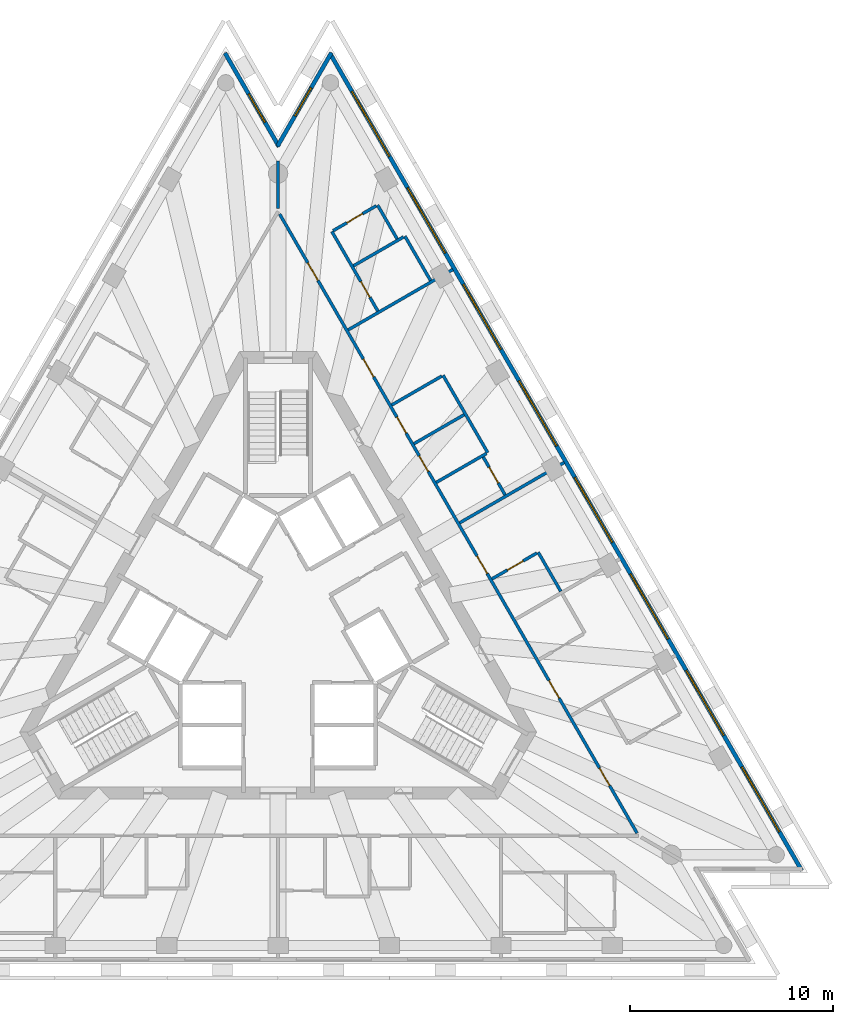
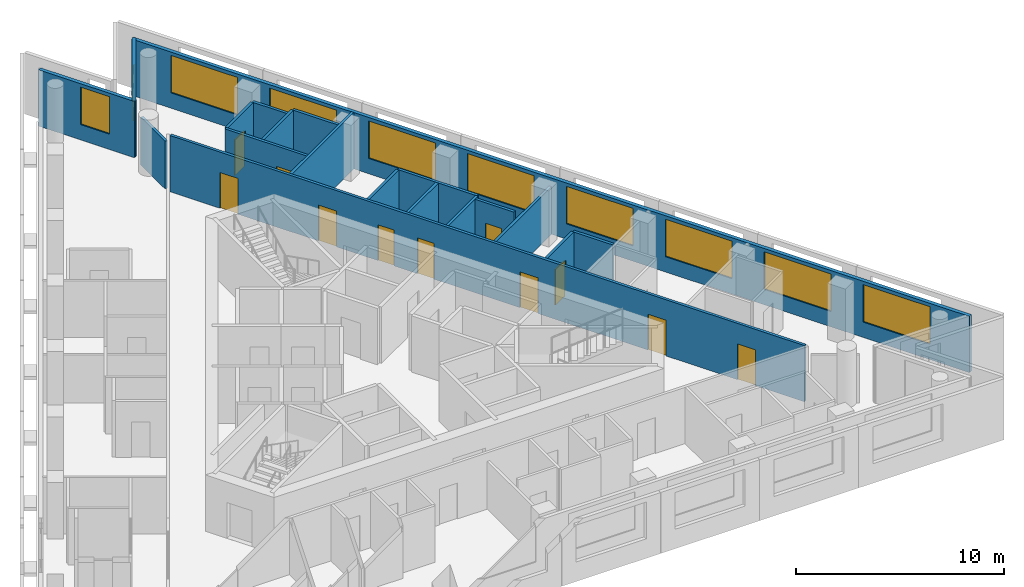
# One storey, part 7 of 9: 19 walls, 11 doors, 10 windows, 21 openings.
"""IFC4 building model written with IfcOpenShell, lengths in metres."""

from ifc_helpers import new_model, si_unit, direction, frame, frame_2d, origin, place, context, subcontext, project, spatial, rectangle, extrude, material, layer, layer_set, layer_usage, type_object, element, fill, save


model = new_model("IFC4")

# Units and contexts
model_context = context("Model", 3, precision=1e-05, world=origin(), true_north=direction((0.0, 1.0)))
body_context = subcontext(model_context, "Body", "Model", "MODEL_VIEW")
ifc_project = project(units=[si_unit("LENGTHUNIT", "METRE"), si_unit("AREAUNIT", "SQUARE_METRE"), si_unit("VOLUMEUNIT", "CUBIC_METRE"), si_unit("PLANEANGLEUNIT", "RADIAN"), si_unit("MASSUNIT", "GRAM", prefix="KILO")], contexts=[model_context])

# Site, building, storey
site_placement = place(None, origin())
site = spatial("IfcSite", under=ifc_project, at=site_placement, CompositionType="ELEMENT")
building_placement = place(site_placement, origin())
building = spatial("IfcBuilding", under=site, at=building_placement, Name="Triada Interchange Tower", CompositionType="ELEMENT")
storey_placement = place(building_placement, frame((0.0, 0.0, 282.699951171875)))
storey = spatial("IfcBuildingStorey", under=building, at=storey_placement, Name="L66", CompositionType="ELEMENT", Elevation=282.699951171875)

# Wall, openings, windows
ifc_material_1 = material(Name="Cement board")
ifc_layer_1 = layer(ifc_material_1, 0.02001953125, Name="Cement board cladding")
ifc_material_2 = material(Name="Sheathing board")
ifc_layer_2 = layer(ifc_material_2, 0.014892578125, Name="Sheathing board")
ifc_material_3 = material(Name="Mineral wool")
ifc_layer_3 = layer(ifc_material_3, 0.14990234375, Name="Mineral wool between steel studs")
ifc_material_4 = material(Name="Gypsum board")
ifc_layer_4 = layer(ifc_material_4, 0.014892578125, Name="Plasterboard lining")
ifc_layer_set_1 = layer_set([ifc_layer_1, ifc_layer_2, ifc_layer_3, ifc_layer_4], Name="External wall 200")
ifc_layer_usage = layer_usage(ifc_layer_set_1, "AXIS2", "POSITIVE", -0.10009765625)
wall_type_1 = type_object("IfcWallType", Name="External wall 200", PredefinedType="ELEMENTEDWALL", material=ifc_layer_set_1)
wall_1_placement = place(storey_placement, frame((25.791015625, -11.9619140625, 0.0), z_axis=(0.0, 0.0, 1.0), x_axis=(-0.500006870765, 0.86602143691, 0.0)))
wall_1 = element("IfcWall", 1, at=wall_1_placement, inside=storey, type_object=wall_type_1, material=ifc_layer_usage, Name="External wall L66 NE", PredefinedType="ELEMENTEDWALL", context=body_context, shape_type="SweptSolid", body=[
    extrude(rectangle(XDim=46.489501953125, YDim=0.199951171875, at=frame_2d((23.24462890625, 0.0))), origin(), (0.0, 0.0, 1.0), 3.300048828125),
])
opening_1_placement = place(wall_1_placement, frame((2.197021484375, 0.0, 0.89990234375)))
opening_1 = element("IfcOpeningElement", 2, at=opening_1_placement, cuts=wall_1, Name="Opening WD21", PredefinedType="OPENING", context=body_context, shape_type="SweptSolid", body=[
    extrude(rectangle(XDim=3.699951171875, YDim=2.199951171875, at=frame_2d((1.85009765625, 1.10009765625))), frame((0.0, 0.10986328125, 0.0), z_axis=(0.0, -1.0, 0.0), x_axis=(1.0, 0.0, 0.0)), (0.0, 0.0, 1.0), 0.219970703125),
])
opening_2_placement = place(wall_1_placement, frame((7.68505859375, 0.0, 0.89990234375)))
opening_2 = element("IfcOpeningElement", 3, at=opening_2_placement, cuts=wall_1, Name="Opening WD22", PredefinedType="OPENING", context=body_context, shape_type="SweptSolid", body=[
    extrude(rectangle(XDim=3.699951171875, YDim=2.199951171875, at=frame_2d((1.85009765625, 1.10009765625))), frame((0.0, 0.10986328125, 0.0), z_axis=(0.0, -1.0, 0.0), x_axis=(1.0, 0.0, 0.0)), (0.0, 0.0, 1.0), 0.219970703125),
])
opening_3_placement = place(wall_1_placement, frame((13.173095703125, 0.0, 0.89990234375)))
opening_3 = element("IfcOpeningElement", 4, at=opening_3_placement, cuts=wall_1, Name="Opening WD23", PredefinedType="OPENING", context=body_context, shape_type="SweptSolid", body=[
    extrude(rectangle(XDim=3.699951171875, YDim=2.199951171875, at=frame_2d((1.85009765625, 1.10009765625))), frame((0.0, 0.10986328125, 0.0), z_axis=(0.0, -1.0, 0.0), x_axis=(1.0, 0.0, 0.0)), (0.0, 0.0, 1.0), 0.219970703125),
])
opening_4_placement = place(wall_1_placement, frame((18.660888671875, 0.0, 0.89990234375)))
opening_4 = element("IfcOpeningElement", 5, at=opening_4_placement, cuts=wall_1, Name="Opening WD24", PredefinedType="OPENING", context=body_context, shape_type="SweptSolid", body=[
    extrude(rectangle(XDim=3.699951171875, YDim=2.199951171875, at=frame_2d((1.85009765625, 1.10009765625))), frame((0.0, 0.10986328125, 0.0), z_axis=(0.0, -1.0, 0.0), x_axis=(1.0, 0.0, 0.0)), (0.0, 0.0, 1.0), 0.219970703125),
])
opening_5_placement = place(wall_1_placement, frame((24.14892578125, 0.0, 0.89990234375)))
opening_5 = element("IfcOpeningElement", 6, at=opening_5_placement, cuts=wall_1, Name="Opening WD25", PredefinedType="OPENING", context=body_context, shape_type="SweptSolid", body=[
    extrude(rectangle(XDim=3.699951171875, YDim=2.199951171875, at=frame_2d((1.85009765625, 1.10009765625))), frame((0.0, 0.10986328125, 0.0), z_axis=(0.0, -1.0, 0.0), x_axis=(1.0, 0.0, 0.0)), (0.0, 0.0, 1.0), 0.219970703125),
])
opening_6_placement = place(wall_1_placement, frame((29.636962890625, 0.0, 0.89990234375)))
opening_6 = element("IfcOpeningElement", 7, at=opening_6_placement, cuts=wall_1, Name="Opening WD26", PredefinedType="OPENING", context=body_context, shape_type="SweptSolid", body=[
    extrude(rectangle(XDim=3.699951171875, YDim=2.199951171875, at=frame_2d((1.85009765625, 1.10009765625))), frame((0.0, 0.10986328125, 0.0), z_axis=(0.0, -1.0, 0.0), x_axis=(1.0, 0.0, 0.0)), (0.0, 0.0, 1.0), 0.219970703125),
])
opening_7_placement = place(wall_1_placement, frame((35.125, 0.0, 0.89990234375)))
opening_7 = element("IfcOpeningElement", 8, at=opening_7_placement, cuts=wall_1, Name="Opening WD27", PredefinedType="OPENING", context=body_context, shape_type="SweptSolid", body=[
    extrude(rectangle(XDim=3.699951171875, YDim=2.199951171875, at=frame_2d((1.85009765625, 1.10009765625))), frame((0.0, 0.10986328125, 0.0), z_axis=(0.0, -1.0, 0.0), x_axis=(1.0, 0.0, 0.0)), (0.0, 0.0, 1.0), 0.219970703125),
])
opening_8_placement = place(wall_1_placement, frame((40.613037109375, 0.0, 0.89990234375)))
opening_8 = element("IfcOpeningElement", 9, at=opening_8_placement, cuts=wall_1, Name="Opening WD28", PredefinedType="OPENING", context=body_context, shape_type="SweptSolid", body=[
    extrude(rectangle(XDim=3.699951171875, YDim=2.199951171875, at=frame_2d((1.85009765625, 1.10009765625))), frame((0.0, 0.10986328125, 0.0), z_axis=(0.0, -1.0, 0.0), x_axis=(1.0, 0.0, 0.0)), (0.0, 0.0, 1.0), 0.219970703125),
])
ifc_material_5 = material(Name="Double glazed aluminium window", Category="aluminium")
window_type_1 = type_object("IfcWindowType", Name="Ribbon window D face", PartitioningType="SINGLE_PANEL", PredefinedType="WINDOW", material=ifc_material_5)
window_1_placement = place(opening_1_placement, origin())
window_1 = element("IfcWindow", 10, at=window_1_placement, inside=storey, type_object=window_type_1, Name="Window L66 NE 1", OverallHeight=2.199951171875, OverallWidth=3.699951171875, PartitioningType="SINGLE_PANEL", PredefinedType="WINDOW", context=body_context, shape_type="SweptSolid", body=[
    extrude(rectangle(XDim=3.699951171875, YDim=2.199951171875, at=frame_2d((1.85009765625, 1.10009765625))), frame((0.0, 0.030029296875, 0.0), z_axis=(0.0, -1.0, 0.0), x_axis=(1.0, 0.0, 0.0)), (0.0, 0.0, 1.0), 0.06005859375),
])
fill(opening_1, window_1)
window_2_placement = place(opening_2_placement, origin())
window_2 = element("IfcWindow", 11, at=window_2_placement, inside=storey, type_object=window_type_1, Name="Window L66 NE 2", OverallHeight=2.199951171875, OverallWidth=3.699951171875, PartitioningType="SINGLE_PANEL", PredefinedType="WINDOW", context=body_context, shape_type="SweptSolid", body=[
    extrude(rectangle(XDim=3.699951171875, YDim=2.199951171875, at=frame_2d((1.85009765625, 1.10009765625))), frame((0.0, 0.030029296875, 0.0), z_axis=(0.0, -1.0, 0.0), x_axis=(1.0, 0.0, 0.0)), (0.0, 0.0, 1.0), 0.06005859375),
])
fill(opening_2, window_2)
window_3_placement = place(opening_3_placement, origin())
window_3 = element("IfcWindow", 12, at=window_3_placement, inside=storey, type_object=window_type_1, Name="Window L66 NE 3", OverallHeight=2.199951171875, OverallWidth=3.699951171875, PartitioningType="SINGLE_PANEL", PredefinedType="WINDOW", context=body_context, shape_type="SweptSolid", body=[
    extrude(rectangle(XDim=3.699951171875, YDim=2.199951171875, at=frame_2d((1.85009765625, 1.10009765625))), frame((0.0, 0.030029296875, 0.0), z_axis=(0.0, -1.0, 0.0), x_axis=(1.0, 0.0, 0.0)), (0.0, 0.0, 1.0), 0.06005859375),
])
fill(opening_3, window_3)
window_4_placement = place(opening_4_placement, origin())
window_4 = element("IfcWindow", 13, at=window_4_placement, inside=storey, type_object=window_type_1, Name="Window L66 NE 4", OverallHeight=2.199951171875, OverallWidth=3.699951171875, PartitioningType="SINGLE_PANEL", PredefinedType="WINDOW", context=body_context, shape_type="SweptSolid", body=[
    extrude(rectangle(XDim=3.699951171875, YDim=2.199951171875, at=frame_2d((1.85009765625, 1.10009765625))), frame((0.0, 0.030029296875, 0.0), z_axis=(0.0, -1.0, 0.0), x_axis=(1.0, 0.0, 0.0)), (0.0, 0.0, 1.0), 0.06005859375),
])
fill(opening_4, window_4)
window_5_placement = place(opening_5_placement, origin())
window_5 = element("IfcWindow", 14, at=window_5_placement, inside=storey, type_object=window_type_1, Name="Window L66 NE 5", OverallHeight=2.199951171875, OverallWidth=3.699951171875, PartitioningType="SINGLE_PANEL", PredefinedType="WINDOW", context=body_context, shape_type="SweptSolid", body=[
    extrude(rectangle(XDim=3.699951171875, YDim=2.199951171875, at=frame_2d((1.85009765625, 1.10009765625))), frame((0.0, 0.030029296875, 0.0), z_axis=(0.0, -1.0, 0.0), x_axis=(1.0, 0.0, 0.0)), (0.0, 0.0, 1.0), 0.06005859375),
])
fill(opening_5, window_5)
window_6_placement = place(opening_6_placement, origin())
window_6 = element("IfcWindow", 15, at=window_6_placement, inside=storey, type_object=window_type_1, Name="Window L66 NE 6", OverallHeight=2.199951171875, OverallWidth=3.699951171875, PartitioningType="SINGLE_PANEL", PredefinedType="WINDOW", context=body_context, shape_type="SweptSolid", body=[
    extrude(rectangle(XDim=3.699951171875, YDim=2.199951171875, at=frame_2d((1.85009765625, 1.10009765625))), frame((0.0, 0.030029296875, 0.0), z_axis=(0.0, -1.0, 0.0), x_axis=(1.0, 0.0, 0.0)), (0.0, 0.0, 1.0), 0.06005859375),
])
fill(opening_6, window_6)
window_7_placement = place(opening_7_placement, origin())
window_7 = element("IfcWindow", 16, at=window_7_placement, inside=storey, type_object=window_type_1, Name="Window L66 NE 7", OverallHeight=2.199951171875, OverallWidth=3.699951171875, PartitioningType="SINGLE_PANEL", PredefinedType="WINDOW", context=body_context, shape_type="SweptSolid", body=[
    extrude(rectangle(XDim=3.699951171875, YDim=2.199951171875, at=frame_2d((1.85009765625, 1.10009765625))), frame((0.0, 0.030029296875, 0.0), z_axis=(0.0, -1.0, 0.0), x_axis=(1.0, 0.0, 0.0)), (0.0, 0.0, 1.0), 0.06005859375),
])
fill(opening_7, window_7)
window_8_placement = place(opening_8_placement, origin())
window_8 = element("IfcWindow", 17, at=window_8_placement, inside=storey, type_object=window_type_1, Name="Window L66 NE 8", OverallHeight=2.199951171875, OverallWidth=3.699951171875, PartitioningType="SINGLE_PANEL", PredefinedType="WINDOW", context=body_context, shape_type="SweptSolid", body=[
    extrude(rectangle(XDim=3.699951171875, YDim=2.199951171875, at=frame_2d((1.85009765625, 1.10009765625))), frame((0.0, 0.030029296875, 0.0), z_axis=(0.0, -1.0, 0.0), x_axis=(1.0, 0.0, 0.0)), (0.0, 0.0, 1.0), 0.06005859375),
])
fill(opening_8, window_8)

# Wall, opening, window
wall_2_placement = place(storey_placement, frame((2.6259765625, 28.31591796875, 0.0), z_axis=(0.0, 0.0, 1.0), x_axis=(-0.500071953966, -0.865983857157, 0.0)))
wall_2 = element("IfcWall", 18, at=wall_2_placement, inside=storey, type_object=wall_type_1, material=ifc_layer_usage, Name="External wall L66 N-1", PredefinedType="ELEMENTEDWALL", context=body_context, shape_type="SweptSolid", body=[
    extrude(rectangle(XDim=5.321044921875, YDim=0.199951171875, at=frame_2d((2.66064453125, 0.0))), origin(), (0.0, 0.0, 1.0), 3.300048828125),
])
opening_9_placement = place(wall_2_placement, frame((1.989990234375, 0.0, 0.89990234375)))
opening_9 = element("IfcOpeningElement", 19, at=opening_9_placement, cuts=wall_2, Name="Opening WD29", PredefinedType="OPENING", context=body_context, shape_type="SweptSolid", body=[
    extrude(rectangle(XDim=1.60009765625, YDim=2.199951171875, at=frame_2d((0.800048828125, 1.10009765625))), frame((0.0, 0.10986328125, 0.0), z_axis=(0.0, -1.0, 0.0), x_axis=(1.0, 0.0, 0.0)), (0.0, 0.0, 1.0), 0.219970703125),
])
window_type_2 = type_object("IfcWindowType", Name="Ribbon window D pocket", PartitioningType="SINGLE_PANEL", PredefinedType="WINDOW", material=ifc_material_5)
window_9_placement = place(opening_9_placement, origin())
window_9 = element("IfcWindow", 20, at=window_9_placement, inside=storey, type_object=window_type_2, Name="Window L66 N-1 1", OverallHeight=2.199951171875, OverallWidth=1.60009765625, PartitioningType="SINGLE_PANEL", PredefinedType="WINDOW", context=body_context, shape_type="SweptSolid", body=[
    extrude(rectangle(XDim=1.60009765625, YDim=2.199951171875, at=frame_2d((0.800048828125, 1.10009765625))), frame((0.0, 0.030029296875, 0.0), z_axis=(0.0, -1.0, 0.0), x_axis=(1.0, 0.0, 0.0)), (0.0, 0.0, 1.0), 0.06005859375),
])
fill(opening_9, window_9)

wall_3_placement = place(storey_placement, frame((0.044921875, 23.69091796875, 0.0), z_axis=(0.0, 0.0, 1.0), x_axis=(-0.500052085069, 0.865995330367, 0.0)))
wall_3 = element("IfcWall", 21, at=wall_3_placement, inside=storey, type_object=wall_type_1, material=ifc_layer_usage, Name="External wall L66 N-2", PredefinedType="ELEMENTEDWALL", context=body_context, shape_type="SweptSolid", body=[
    extrude(rectangle(XDim=5.3212890625, YDim=0.199951171875, at=frame_2d((2.66064453125, 0.0))), origin(), (0.0, 0.0, 1.0), 3.300048828125),
])
opening_10_placement = place(wall_3_placement, frame((1.389892578125, 0.0, 0.89990234375)))
opening_10 = element("IfcOpeningElement", 22, at=opening_10_placement, cuts=wall_3, Name="Opening WD30", PredefinedType="OPENING", context=body_context, shape_type="SweptSolid", body=[
    extrude(rectangle(XDim=1.60009765625, YDim=2.199951171875, at=frame_2d((0.800048828125, 1.10009765625))), frame((0.0, 0.10986328125, 0.0), z_axis=(0.0, -1.0, 0.0), x_axis=(1.0, 0.0, 0.0)), (0.0, 0.0, 1.0), 0.219970703125),
])
window_10_placement = place(opening_10_placement, origin())
window_10 = element("IfcWindow", 23, at=window_10_placement, inside=storey, type_object=window_type_2, Name="Window L66 N-2 1", OverallHeight=2.199951171875, OverallWidth=1.60009765625, PartitioningType="SINGLE_PANEL", PredefinedType="WINDOW", context=body_context, shape_type="SweptSolid", body=[
    extrude(rectangle(XDim=1.60009765625, YDim=2.199951171875, at=frame_2d((0.800048828125, 1.10009765625))), frame((0.0, 0.030029296875, 0.0), z_axis=(0.0, -1.0, 0.0), x_axis=(1.0, 0.0, 0.0)), (0.0, 0.0, 1.0), 0.06005859375),
])
fill(opening_10, window_10)

# Walls
ifc_material_6 = material(Name="Gypsum board partition")
ifc_layer_5 = layer(ifc_material_6, 0.14990234375)
ifc_layer_set_2 = layer_set([ifc_layer_5], Name="PARTITION 150 EI 180")
wall_type_2 = type_object("IfcWallType", Name="PARTITION 150 EI 180", PredefinedType="PARTITIONING", material=ifc_layer_set_2)
wall_4_placement = place(storey_placement, frame((8.94189453125, 5.162109375, 0.0), z_axis=(0.0, 0.0, 1.0), x_axis=(0.866004483474, 0.50003623329, 0.0)))
element("IfcWall", 24, at=wall_4_placement, inside=storey, type_object=wall_type_2, Name="Wall L65 2", PredefinedType="PARTITIONING", context=body_context, shape_type="SweptSolid", body=[
    extrude(rectangle(XDim=5.94921875, YDim=0.14990234375, at=frame_2d((2.974609375, 0.0))), origin(), (0.0, 0.0, 1.0), 2.800048828125),
])
wall_5_placement = place(storey_placement, frame((0.0, 20.64990234375, 0.0), z_axis=(0.0, 0.0, 1.0), x_axis=(0.0, 1.0, 0.0)))
element("IfcWall", 25, at=wall_5_placement, inside=storey, type_object=wall_type_2, Name="Wall L65 18", PredefinedType="PARTITIONING", context=body_context, shape_type="SweptSolid", body=[
    extrude(rectangle(XDim=2.339111328125, YDim=0.14990234375, at=frame_2d((1.16943359375, 0.0))), origin(), (0.0, 0.0, 1.0), 2.800048828125),
])

# Wall, openings, doors
wall_6_placement = place(storey_placement, frame((0.074951171875, 20.3701171875, 0.0), z_axis=(0.0, 0.0, 1.0), x_axis=(0.500003985697, -0.866023102629, 0.0)))
wall_6 = element("IfcWall", 26, at=wall_6_placement, inside=storey, type_object=wall_type_2, Name="Wall L65 19", PredefinedType="PARTITIONING", context=body_context, shape_type="SweptSolid", body=[
    extrude(rectangle(XDim=35.205810546875, YDim=0.14990234375, at=frame_2d((17.60302734375, 0.0))), origin(), (0.0, 0.0, 1.0), 3.300048828125),
])
opening_11_placement = place(wall_6_placement, frame((31.506103515625, 0.0, 0.0)))
opening_11 = element("IfcOpeningElement", 27, at=opening_11_placement, cuts=wall_6, Name="Opening D65-25", PredefinedType="OPENING", context=body_context, shape_type="SweptSolid", body=[
    extrude(rectangle(XDim=1.0, YDim=2.10009765625, at=frame_2d((0.5, 1.050048828125))), frame((0.0, 0.0849609375, 0.0), z_axis=(0.0, -1.0, 0.0), x_axis=(1.0, 0.0, 0.0)), (0.0, 0.0, 1.0), 0.169921875),
])
opening_12_placement = place(wall_6_placement, frame((26.529052734375, 0.0, 0.0)))
opening_12 = element("IfcOpeningElement", 28, at=opening_12_placement, cuts=wall_6, Name="Opening D65-27", PredefinedType="OPENING", context=body_context, shape_type="SweptSolid", body=[
    extrude(rectangle(XDim=1.0, YDim=2.10009765625, at=frame_2d((0.5, 1.050048828125))), frame((0.0, 0.0849609375, 0.0), z_axis=(0.0, -1.0, 0.0), x_axis=(1.0, 0.0, 0.0)), (0.0, 0.0, 1.0), 0.169921875),
])
opening_13_placement = place(wall_6_placement, frame((19.44189453125, 0.0, 0.0)))
opening_13 = element("IfcOpeningElement", 29, at=opening_13_placement, cuts=wall_6, Name="Opening D65-29", PredefinedType="OPENING", context=body_context, shape_type="SweptSolid", body=[
    extrude(rectangle(XDim=1.0, YDim=2.10009765625, at=frame_2d((0.5, 1.050048828125))), frame((0.0, 0.0849609375, 0.0), z_axis=(0.0, -1.0, 0.0), x_axis=(1.0, 0.0, 0.0)), (0.0, 0.0, 1.0), 0.169921875),
])
opening_14_placement = place(wall_6_placement, frame((8.25390625, 0.0, 0.0)))
opening_14 = element("IfcOpeningElement", 30, at=opening_14_placement, cuts=wall_6, Name="Opening D65-31", PredefinedType="OPENING", context=body_context, shape_type="SweptSolid", body=[
    extrude(rectangle(XDim=1.0, YDim=2.10009765625, at=frame_2d((0.5, 1.050048828125))), frame((0.0, 0.0849609375, 0.0), z_axis=(0.0, -1.0, 0.0), x_axis=(1.0, 0.0, 0.0)), (0.0, 0.0, 1.0), 0.169921875),
])
opening_15_placement = place(wall_6_placement, frame((13.75390625, 0.0, 0.0)))
opening_15 = element("IfcOpeningElement", 31, at=opening_15_placement, cuts=wall_6, Name="Opening D65-33", PredefinedType="OPENING", context=body_context, shape_type="SweptSolid", body=[
    extrude(rectangle(XDim=0.89990234375, YDim=2.10009765625, at=frame_2d((0.449951171875, 1.050048828125))), frame((0.0, 0.0849609375, 0.0), z_axis=(0.0, -1.0, 0.0), x_axis=(1.0, 0.0, 0.0)), (0.0, 0.0, 1.0), 0.169921875),
])
opening_16_placement = place(wall_6_placement, frame((11.553955078125, 0.0, 0.0)))
opening_16 = element("IfcOpeningElement", 32, at=opening_16_placement, cuts=wall_6, Name="Opening D65-34", PredefinedType="OPENING", context=body_context, shape_type="SweptSolid", body=[
    extrude(rectangle(XDim=0.89990234375, YDim=2.10009765625, at=frame_2d((0.449951171875, 1.050048828125))), frame((0.0, 0.0849609375, 0.0), z_axis=(0.0, -1.0, 0.0), x_axis=(1.0, 0.0, 0.0)), (0.0, 0.0, 1.0), 0.169921875),
])
opening_17_placement = place(wall_6_placement, frame((2.777099609375, 0.0, 0.0)))
opening_17 = element("IfcOpeningElement", 33, at=opening_17_placement, cuts=wall_6, Name="Opening D65-35", PredefinedType="OPENING", context=body_context, shape_type="SweptSolid", body=[
    extrude(rectangle(XDim=1.0, YDim=2.10009765625, at=frame_2d((0.5, 1.050048828125))), frame((0.0, 0.0849609375, 0.0), z_axis=(0.0, -1.0, 0.0), x_axis=(1.0, 0.0, 0.0)), (0.0, 0.0, 1.0), 0.169921875),
])
ifc_material_7 = material(Name="Steel S235 door leaf", Category="steel")
door_type_1 = type_object("IfcDoorType", Name="GUEST ROOM DOOR 1000 EI2 90-C5S200", OperationType="NOTDEFINED", PredefinedType="DOOR", material=ifc_material_7)
door_1_placement = place(opening_11_placement, origin())
door_1 = element("IfcDoor", 34, at=door_1_placement, inside=storey, type_object=door_type_1, Name="Door D65-25 L66", OperationType="SINGLE_SWING_RIGHT", OverallHeight=2.10009765625, OverallWidth=1.0, PredefinedType="DOOR", context=body_context, shape_type="SweptSolid", body=[
    extrude(rectangle(XDim=1.0, YDim=2.10009765625, at=frame_2d((0.5, 1.050048828125))), frame((0.0, 0.02490234375, 0.0), z_axis=(0.0, -1.0, 0.0), x_axis=(1.0, 0.0, 0.0)), (0.0, 0.0, 1.0), 0.050048828125),
])
fill(opening_11, door_1)
door_2_placement = place(opening_12_placement, origin())
door_2 = element("IfcDoor", 35, at=door_2_placement, inside=storey, type_object=door_type_1, Name="Door D65-27 L66", OperationType="SINGLE_SWING_LEFT", OverallHeight=2.10009765625, OverallWidth=1.0, PredefinedType="DOOR", context=body_context, shape_type="SweptSolid", body=[
    extrude(rectangle(XDim=1.0, YDim=2.10009765625, at=frame_2d((0.5, 1.050048828125))), frame((0.0, 0.02490234375, 0.0), z_axis=(0.0, -1.0, 0.0), x_axis=(1.0, 0.0, 0.0)), (0.0, 0.0, 1.0), 0.050048828125),
])
fill(opening_12, door_2)
door_3_placement = place(opening_13_placement, origin())
door_3 = element("IfcDoor", 36, at=door_3_placement, inside=storey, type_object=door_type_1, Name="Door D65-29 L66", OperationType="SINGLE_SWING_LEFT", OverallHeight=2.10009765625, OverallWidth=1.0, PredefinedType="DOOR", context=body_context, shape_type="SweptSolid", body=[
    extrude(rectangle(XDim=1.0, YDim=2.10009765625, at=frame_2d((0.5, 1.050048828125))), frame((0.0, 0.02490234375, 0.0), z_axis=(0.0, -1.0, 0.0), x_axis=(1.0, 0.0, 0.0)), (0.0, 0.0, 1.0), 0.050048828125),
])
fill(opening_13, door_3)
door_4_placement = place(opening_14_placement, origin())
door_4 = element("IfcDoor", 37, at=door_4_placement, inside=storey, type_object=door_type_1, Name="Door D65-31 L66", OperationType="SINGLE_SWING_RIGHT", OverallHeight=2.10009765625, OverallWidth=1.0, PredefinedType="DOOR", context=body_context, shape_type="SweptSolid", body=[
    extrude(rectangle(XDim=1.0, YDim=2.10009765625, at=frame_2d((0.5, 1.050048828125))), frame((0.0, 0.02490234375, 0.0), z_axis=(0.0, -1.0, 0.0), x_axis=(1.0, 0.0, 0.0)), (0.0, 0.0, 1.0), 0.050048828125),
])
fill(opening_14, door_4)
door_5_placement = place(opening_17_placement, origin())
door_5 = element("IfcDoor", 38, at=door_5_placement, inside=storey, type_object=door_type_1, Name="Door D65-35 L66", OperationType="SINGLE_SWING_LEFT", OverallHeight=2.10009765625, OverallWidth=1.0, PredefinedType="DOOR", context=body_context, shape_type="SweptSolid", body=[
    extrude(rectangle(XDim=1.0, YDim=2.10009765625, at=frame_2d((0.5, 1.050048828125))), frame((0.0, 0.02490234375, 0.0), z_axis=(0.0, -1.0, 0.0), x_axis=(1.0, 0.0, 0.0)), (0.0, 0.0, 1.0), 0.050048828125),
])
fill(opening_17, door_5)
door_type_2 = type_object("IfcDoorType", Name="ROOM DOOR 900 EI2 90-C5S200", OperationType="NOTDEFINED", PredefinedType="DOOR", material=ifc_material_7)
door_6_placement = place(opening_16_placement, origin())
door_6 = element("IfcDoor", 39, at=door_6_placement, inside=storey, type_object=door_type_2, Name="Door D65-34 L66", OperationType="SINGLE_SWING_LEFT", OverallHeight=2.10009765625, OverallWidth=0.89990234375, PredefinedType="DOOR", context=body_context, shape_type="SweptSolid", body=[
    extrude(rectangle(XDim=0.89990234375, YDim=2.10009765625, at=frame_2d((0.449951171875, 1.050048828125))), frame((0.0, 0.02490234375, 0.0), z_axis=(0.0, -1.0, 0.0), x_axis=(1.0, 0.0, 0.0)), (0.0, 0.0, 1.0), 0.050048828125),
])
fill(opening_16, door_6)
door_type_3 = type_object("IfcDoorType", Name="SERVICE DOOR 900 EI2 90-C5S200", OperationType="NOTDEFINED", PredefinedType="DOOR", material=ifc_material_7)
door_7_placement = place(opening_15_placement, origin())
door_7 = element("IfcDoor", 40, at=door_7_placement, inside=storey, type_object=door_type_3, Name="Door D65-33 L66", OperationType="SINGLE_SWING_LEFT", OverallHeight=2.10009765625, OverallWidth=0.89990234375, PredefinedType="DOOR", context=body_context, shape_type="SweptSolid", body=[
    extrude(rectangle(XDim=0.89990234375, YDim=2.10009765625, at=frame_2d((0.449951171875, 1.050048828125))), frame((0.0, 0.02490234375, 0.0), z_axis=(0.0, -1.0, 0.0), x_axis=(1.0, 0.0, 0.0)), (0.0, 0.0, 1.0), 0.050048828125),
])
fill(opening_15, door_7)

# Walls
wall_7_placement = place(storey_placement, frame((3.4541015625, 14.66796875, 0.0), z_axis=(0.0, 0.0, 1.0), x_axis=(0.865976450533, 0.500084779935, 0.0)))
element("IfcWall", 41, at=wall_7_placement, inside=storey, type_object=wall_type_2, Name="Wall L65 22", PredefinedType="PARTITIONING", context=body_context, shape_type="SweptSolid", body=[
    extrude(rectangle(XDim=5.94921875, YDim=0.14990234375, at=frame_2d((2.974609375, 0.0))), origin(), (0.0, 0.0, 1.0), 3.300048828125),
])
wall_8_placement = place(storey_placement, frame((8.125, 12.427001953125, 0.0), z_axis=(0.0, 0.0, 1.0), x_axis=(0.500036278648, -0.866004457284, 0.0)))
element("IfcWall", 42, at=wall_8_placement, inside=storey, type_object=wall_type_2, Name="Wall L65 24", PredefinedType="PARTITIONING", context=body_context, shape_type="SweptSolid", body=[
    extrude(rectangle(XDim=4.399658203125, YDim=0.14990234375, at=frame_2d((2.19970703125, 0.0))), origin(), (0.0, 0.0, 1.0), 3.300048828125),
])
for number, where, z_axis, x_axis, name in (
    (43, (5.592041015625, 10.965087890625, 0.0), (0.0, 0.0, 1.0), (0.866041498374, 0.499972122318, 0.0), "Wall L65 25"),
    (44, (6.69189453125, 9.06005859375, 0.0), (0.0, 0.0, 1.0), (0.866004402611, 0.500036373335, 0.0), "Wall L65 26"),
    (45, (7.7919921875, 7.154052734375, 0.0), (0.0, 0.0, 1.0), (0.866004402611, 0.500036373335, 0.0), "Wall L65 27"),
):
    element("IfcWall", number, at=place(storey_placement, frame(where, z_axis=z_axis, x_axis=x_axis)), inside=storey, type_object=wall_type_2, Name=name, PredefinedType="PARTITIONING", context=body_context, shape_type="SweptSolid", body=[
        extrude(rectangle(XDim=2.849853515625, YDim=0.14990234375, at=frame_2d((1.4248046875, 0.0))), origin(), (0.0, 0.0, 1.0), 3.300048828125),
    ])

# Wall, opening, door
ifc_layer_6 = layer(ifc_material_6, 0.14990234375)
ifc_layer_set_3 = layer_set([ifc_layer_6], Name="PARTITION 150 EI 90")
wall_type_3 = type_object("IfcWallType", Name="PARTITION 150 EI 90", PredefinedType="PARTITIONING", material=ifc_layer_set_3)
wall_9_placement = place(storey_placement, frame((2.64697265625, 19.513916015625, 0.0), z_axis=(0.0, 0.0, 1.0), x_axis=(0.500149036902, -0.865939340188, 0.0)))
wall_9 = element("IfcWall", 46, at=wall_9_placement, inside=storey, type_object=wall_type_3, Name="Wall L65 54", PredefinedType="PARTITIONING", context=body_context, shape_type="SweptSolid", body=[
    extrude(rectangle(XDim=4.5244140625, YDim=0.14990234375, at=frame_2d((2.26220703125, 0.0))), origin(), (0.0, 0.0, 1.0), 3.300048828125),
])
opening_18_placement = place(wall_9_placement, frame((2.85009765625, 0.0, 0.0)))
opening_18 = element("IfcOpeningElement", 47, at=opening_18_placement, cuts=wall_9, Name="Opening D65-36", PredefinedType="OPENING", context=body_context, shape_type="SweptSolid", body=[
    extrude(rectangle(XDim=0.89990234375, YDim=2.10009765625, at=frame_2d((0.449951171875, 1.050048828125))), frame((0.0, 0.0849609375, 0.0), z_axis=(0.0, -1.0, 0.0), x_axis=(1.0, 0.0, 0.0)), (0.0, 0.0, 1.0), 0.169921875),
])
door_type_4 = type_object("IfcDoorType", Name="ROOM DOOR 900 EI2 45-C5S200", OperationType="NOTDEFINED", PredefinedType="DOOR", material=ifc_material_7)
door_8_placement = place(opening_18_placement, origin())
door_8 = element("IfcDoor", 48, at=door_8_placement, inside=storey, type_object=door_type_4, Name="Door D65-36 L66", OperationType="SINGLE_SWING_RIGHT", OverallHeight=2.10009765625, OverallWidth=0.89990234375, PredefinedType="DOOR", context=body_context, shape_type="SweptSolid", body=[
    extrude(rectangle(XDim=0.89990234375, YDim=2.10009765625, at=frame_2d((0.449951171875, 1.050048828125))), frame((0.0, 0.02490234375, 0.0), z_axis=(0.0, -1.0, 0.0), x_axis=(1.0, 0.0, 0.0)), (0.0, 0.0, 1.0), 0.050048828125),
])
fill(opening_18, door_8)

# Walls
wall_10_placement = place(storey_placement, frame((6.24609375, 19.281982421875, 0.0), z_axis=(0.0, 0.0, 1.0), x_axis=(0.499956887143, -0.866050293573, 0.0)))
element("IfcWall", 49, at=wall_10_placement, inside=storey, type_object=wall_type_3, Name="Wall L65 56", PredefinedType="PARTITIONING", context=body_context, shape_type="SweptSolid", body=[
    extrude(rectangle(XDim=2.524169921875, YDim=0.14990234375, at=frame_2d((1.26220703125, 0.0))), origin(), (0.0, 0.0, 1.0), 3.300048828125),
])
wall_11_placement = place(storey_placement, frame((3.7119140625, 17.820068359375, 0.0), z_axis=(0.0, 0.0, 1.0), x_axis=(0.866090043625, 0.499888023795, 0.0)))
element("IfcWall", 50, at=wall_11_placement, inside=storey, type_object=wall_type_3, Name="Wall L65 58", PredefinedType="PARTITIONING", context=body_context, shape_type="SweptSolid", body=[
    extrude(rectangle(XDim=2.850830078125, YDim=0.14990234375, at=frame_2d((1.42529296875, 0.0))), origin(), (0.0, 0.0, 1.0), 3.300048828125),
])
wall_12_placement = place(storey_placement, frame((4.89892578125, 20.81396484375, 0.0), z_axis=(0.0, 0.0, 1.0), x_axis=(0.500271259635, -0.865868735308, 0.0)))
element("IfcWall", 51, at=wall_12_placement, inside=storey, type_object=wall_type_3, Name="Wall L65 59", PredefinedType="PARTITIONING", context=body_context, shape_type="SweptSolid", body=[
    extrude(rectangle(XDim=1.92529296875, YDim=0.14990234375, at=frame_2d((0.962646484375, 0.0))), origin(), (0.0, 0.0, 1.0), 3.300048828125),
])

# Wall, opening, door
wall_13_placement = place(storey_placement, frame((2.7119140625, 19.552001953125, 0.0), z_axis=(0.0, 0.0, 1.0), x_axis=(0.8660395779, 0.499975448907, 0.0)))
wall_13 = element("IfcWall", 52, at=wall_13_placement, inside=storey, type_object=wall_type_3, Name="Wall L65 60", PredefinedType="PARTITIONING", context=body_context, shape_type="SweptSolid", body=[
    extrude(rectangle(XDim=2.4501953125, YDim=0.14990234375, at=frame_2d((1.22509765625, 0.0))), origin(), (0.0, 0.0, 1.0), 3.300048828125),
])
opening_19_placement = place(wall_13_placement, frame((0.77490234375, 0.0, 0.0)))
opening_19 = element("IfcOpeningElement", 53, at=opening_19_placement, cuts=wall_13, Name="Opening D65-37", PredefinedType="OPENING", context=body_context, shape_type="SweptSolid", body=[
    extrude(rectangle(XDim=0.89990234375, YDim=2.10009765625, at=frame_2d((0.449951171875, 1.050048828125))), frame((0.0, 0.0849609375, 0.0), z_axis=(0.0, -1.0, 0.0), x_axis=(1.0, 0.0, 0.0)), (0.0, 0.0, 1.0), 0.169921875),
])
door_type_5 = type_object("IfcDoorType", Name="SERVICE DOOR 900 EI2 45-C5S200", OperationType="NOTDEFINED", PredefinedType="DOOR", material=ifc_material_7)
door_9_placement = place(opening_19_placement, origin())
door_9 = element("IfcDoor", 54, at=door_9_placement, inside=storey, type_object=door_type_5, Name="Door D65-37 L66", OperationType="SINGLE_SWING_LEFT", OverallHeight=2.10009765625, OverallWidth=0.89990234375, PredefinedType="DOOR", context=body_context, shape_type="SweptSolid", body=[
    extrude(rectangle(XDim=0.89990234375, YDim=2.10009765625, at=frame_2d((0.449951171875, 1.050048828125))), frame((0.0, 0.02490234375, 0.0), z_axis=(0.0, -1.0, 0.0), x_axis=(1.0, 0.0, 0.0)), (0.0, 0.0, 1.0), 0.050048828125),
])
fill(opening_19, door_9)

wall_14_placement = place(storey_placement, frame((10.10302734375, 8.402099609375, 0.0), z_axis=(0.0, 0.0, 1.0), x_axis=(0.499961633463, -0.866047553582, 0.0)))
wall_14 = element("IfcWall", 55, at=wall_14_placement, inside=storey, type_object=wall_type_3, Name="Wall L65 61", PredefinedType="PARTITIONING", context=body_context, shape_type="SweptSolid", body=[
    extrude(rectangle(XDim=2.150146484375, YDim=0.14990234375, at=frame_2d((1.0751953125, 0.0))), origin(), (0.0, 0.0, 1.0), 3.300048828125),
])
opening_20_placement = place(wall_14_placement, frame((0.574951171875, 0.0, 0.0)))
opening_20 = element("IfcOpeningElement", 56, at=opening_20_placement, cuts=wall_14, Name="Opening D65-32", PredefinedType="OPENING", context=body_context, shape_type="SweptSolid", body=[
    extrude(rectangle(XDim=0.89990234375, YDim=2.10009765625, at=frame_2d((0.449951171875, 1.050048828125))), frame((0.0, 0.0849609375, 0.0), z_axis=(0.0, -1.0, 0.0), x_axis=(1.0, 0.0, 0.0)), (0.0, 0.0, 1.0), 0.169921875),
])
door_10_placement = place(opening_20_placement, origin())
door_10 = element("IfcDoor", 57, at=door_10_placement, inside=storey, type_object=door_type_4, Name="Door D65-32 L66", OperationType="SINGLE_SWING_LEFT", OverallHeight=2.10009765625, OverallWidth=0.89990234375, PredefinedType="DOOR", context=body_context, shape_type="SweptSolid", body=[
    extrude(rectangle(XDim=0.89990234375, YDim=2.10009765625, at=frame_2d((0.449951171875, 1.050048828125))), frame((0.0, 0.02490234375, 0.0), z_axis=(0.0, -1.0, 0.0), x_axis=(1.0, 0.0, 0.0)), (0.0, 0.0, 1.0), 0.050048828125),
])
fill(opening_20, door_10)

# Wall
wall_15_placement = place(storey_placement, frame((12.80908203125, 3.714111328125, 0.0), z_axis=(0.0, 0.0, 1.0), x_axis=(0.500162441854, -0.865931597621, 0.0)))
element("IfcWall", 58, at=wall_15_placement, inside=storey, type_object=wall_type_3, Name="Wall L65 62", PredefinedType="PARTITIONING", context=body_context, shape_type="SweptSolid", body=[
    extrude(rectangle(XDim=2.225341796875, YDim=0.14990234375, at=frame_2d((1.11279296875, 0.0))), origin(), (0.0, 0.0, 1.0), 3.300048828125),
])

# Wall, opening, door
wall_16_placement = place(storey_placement, frame((10.535888671875, 2.40087890625, 0.0), z_axis=(0.0, 0.0, 1.0), x_axis=(0.865965520905, 0.500103705848, 0.0)))
wall_16 = element("IfcWall", 59, at=wall_16_placement, inside=storey, type_object=wall_type_3, Name="Wall L65 66", PredefinedType="PARTITIONING", context=body_context, shape_type="SweptSolid", body=[
    extrude(rectangle(XDim=2.5498046875, YDim=0.14990234375, at=frame_2d((1.27490234375, 0.0))), origin(), (0.0, 0.0, 1.0), 3.300048828125),
])
opening_21_placement = place(wall_16_placement, frame((0.875, 0.0, 0.0)))
opening_21 = element("IfcOpeningElement", 60, at=opening_21_placement, cuts=wall_16, Name="Opening D65-30", PredefinedType="OPENING", context=body_context, shape_type="SweptSolid", body=[
    extrude(rectangle(XDim=0.89990234375, YDim=2.10009765625, at=frame_2d((0.449951171875, 1.050048828125))), frame((0.0, 0.0849609375, 0.0), z_axis=(0.0, -1.0, 0.0), x_axis=(1.0, 0.0, 0.0)), (0.0, 0.0, 1.0), 0.169921875),
])
door_11_placement = place(opening_21_placement, origin())
door_11 = element("IfcDoor", 61, at=door_11_placement, inside=storey, type_object=door_type_4, Name="Door D65-30 L66", OperationType="SINGLE_SWING_RIGHT", OverallHeight=2.10009765625, OverallWidth=0.89990234375, PredefinedType="DOOR", context=body_context, shape_type="SweptSolid", body=[
    extrude(rectangle(XDim=0.89990234375, YDim=2.10009765625, at=frame_2d((0.449951171875, 1.050048828125))), frame((0.0, 0.02490234375, 0.0), z_axis=(0.0, -1.0, 0.0), x_axis=(1.0, 0.0, 0.0)), (0.0, 0.0, 1.0), 0.050048828125),
])
fill(opening_21, door_11)

save(model, "model.ifc")
